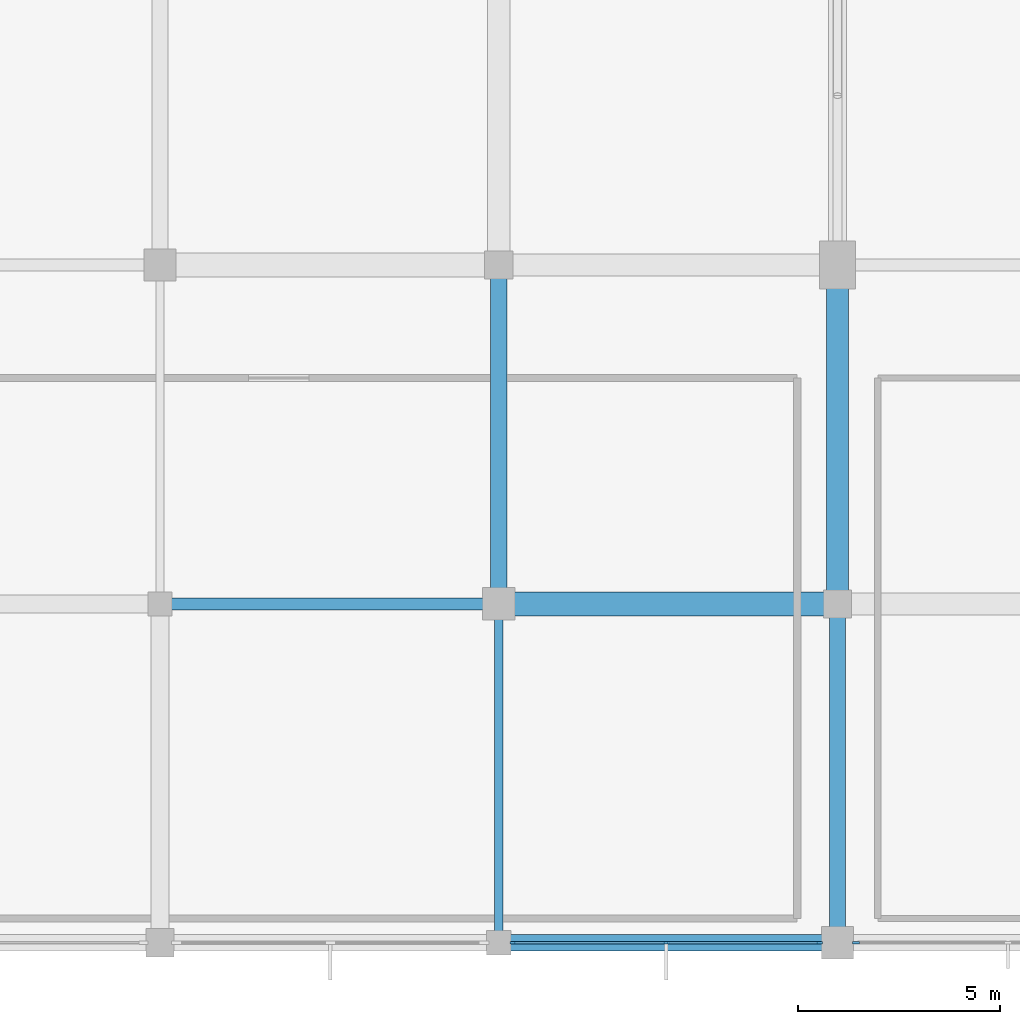
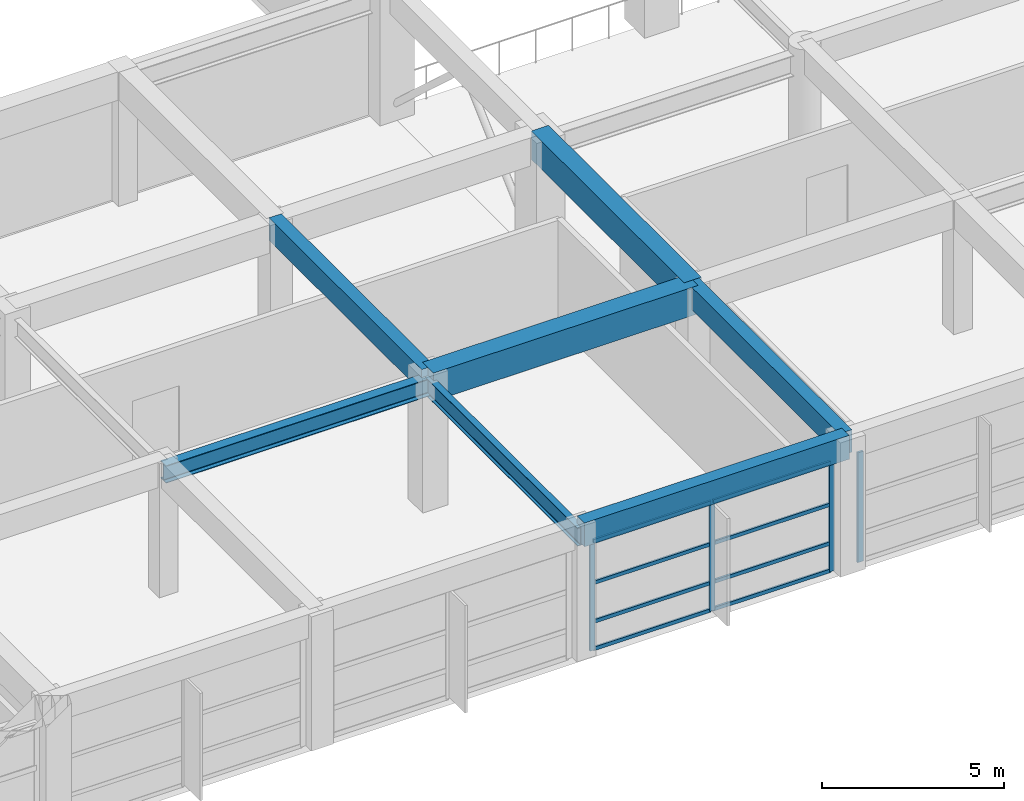
# One storey, part 12 of 56: 12 members, 7 beams, 2 elements without a shape of their own.
"""IFC4 building model written with IfcOpenShell, lengths in metres."""

from ifc_helpers import new_model, si_unit, direction, frame, origin, origin_2d, place, context, subcontext, project, spatial, rectangle, i_section, extrude, material, material_profile, profile_set, type_object, element, aggregate, save


model = new_model("IFC4")

# Units and contexts
model_context = context("Model", 3, precision=1e-05, world=origin(), true_north=direction((0.0, 1.0)))
body_context = subcontext(model_context, "Body", "Model", "MODEL_VIEW")
ifc_project = project(units=[si_unit("LENGTHUNIT", "METRE"), si_unit("AREAUNIT", "SQUARE_METRE"), si_unit("VOLUMEUNIT", "CUBIC_METRE"), si_unit("PLANEANGLEUNIT", "RADIAN"), si_unit("MASSUNIT", "GRAM", prefix="KILO")], contexts=[model_context])

# Site, building, storey
site_placement = place(None, origin())
site = spatial("IfcSite", under=ifc_project, at=site_placement, CompositionType="ELEMENT")
building_placement = place(site_placement, origin())
building = spatial("IfcBuilding", under=site, at=building_placement, Name="Xuanlan Plaza Opera House", CompositionType="ELEMENT")
storey_placement = place(building_placement, frame((0.0, 0.0, 18.89990234375)))
storey = spatial("IfcBuildingStorey", under=building, at=storey_placement, Name="L04", CompositionType="ELEMENT", Elevation=18.89990234375)

# Curtain wall, members
ifc_material_1 = material(Name="Anodised Aluminium 6063-T6 and Low-E Glass", Category="aluminium")
curtain_wall_type_1 = type_object("IfcCurtainWallType", Name="ENV-CW-CW-06", PredefinedType="USERDEFINED", material=ifc_material_1)
curtain_wall_1_placement = place(storey_placement, origin())
curtain_wall_1 = element("IfcCurtainWall", 1, at=curtain_wall_1_placement, inside=storey, type_object=curtain_wall_type_1, Name="Acoustic Glazed Wall L04-005", ObjectType="ACOUSTIC GLAZED WALL", PredefinedType="USERDEFINED")
ifc_material_2 = material(Name="Anodised Aluminium 6063-T6", Category="aluminium")
ifc_material_profile_1 = material_profile(ifc_material_2, rectangle(XDim=0.06494140625, YDim=0.159912109375, at=origin_2d()), Name="ALU-M 65x160")
ifc_profile_set_1 = profile_set([ifc_material_profile_1], Name="Anodised Aluminium 6063-T6")
member_type_1 = type_object("IfcMemberType", Name="ENV-CWM-01", PredefinedType="MULLION", material=ifc_profile_set_1)
member_1_placement = place(storey_placement, frame((59.152587890625, 16.800048828125, 0.0), z_axis=(0.0, 0.0, 1.0), x_axis=(0.0, 1.0, 0.0)))
member_1 = element("IfcMember", 2, at=member_1_placement, type_object=member_type_1, Name="CW-06 mullion 1", PredefinedType="MULLION", context=body_context, shape_type="SweptSolid", body=[
    extrude(rectangle(XDim=0.06494140625, YDim=0.159912109375, at=origin_2d()), origin(), (0.0, 0.0, 1.0), 3.68017578125),
])
member_2_placement = place(storey_placement, frame((62.949951171875, 16.800048828125, 0.0), z_axis=(0.0, 0.0, 1.0), x_axis=(0.0, 1.0, 0.0)))
member_2 = element("IfcMember", 3, at=member_2_placement, type_object=member_type_1, Name="CW-06 mullion 2", PredefinedType="MULLION", context=body_context, shape_type="SweptSolid", body=[
    extrude(rectangle(XDim=0.06494140625, YDim=0.159912109375, at=origin_2d()), origin(), (0.0, 0.0, 1.0), 3.68017578125),
])
member_3_placement = place(storey_placement, frame((66.74755859375, 16.800048828125, 0.0), z_axis=(0.0, 0.0, 1.0), x_axis=(0.0, 1.0, 0.0)))
member_3 = element("IfcMember", 4, at=member_3_placement, type_object=member_type_1, Name="CW-06 mullion 3", PredefinedType="MULLION", context=body_context, shape_type="SweptSolid", body=[
    extrude(rectangle(XDim=0.06494140625, YDim=0.159912109375, at=origin_2d()), origin(), (0.0, 0.0, 1.0), 3.68017578125),
])

# Curtain wall, member
curtain_wall_type_2 = type_object("IfcCurtainWallType", Name="ENV-CW-CW-05", PredefinedType="USERDEFINED", material=ifc_material_1)
curtain_wall_2_placement = place(storey_placement, origin())
curtain_wall_2 = element("IfcCurtainWall", 5, at=curtain_wall_2_placement, inside=storey, type_object=curtain_wall_type_2, Name="Acoustic Glazed Wall L04-006", ObjectType="ACOUSTIC GLAZED WALL", PredefinedType="USERDEFINED")
ifc_material_profile_2 = material_profile(ifc_material_2, rectangle(XDim=0.070068359375, YDim=0.179931640625, at=origin_2d()), Name="ALU-M 70x180")
ifc_profile_set_2 = profile_set([ifc_material_profile_2], Name="Anodised Aluminium 6063-T6")
member_type_2 = type_object("IfcMemberType", Name="ENV-CWM-02", PredefinedType="MULLION", material=ifc_profile_set_2)
member_4_placement = place(storey_placement, frame((67.655029296875, 16.800048828125, 0.0), z_axis=(0.0, 0.0, 1.0), x_axis=(0.0, 1.0, 0.0)))
member_4 = element("IfcMember", 6, at=member_4_placement, type_object=member_type_2, Name="CW-05 mullion 1", PredefinedType="MULLION", context=body_context, shape_type="SweptSolid", body=[
    extrude(rectangle(XDim=0.070068359375, YDim=0.179931640625, at=origin_2d()), origin(), (0.0, 0.0, 1.0), 3.68017578125),
])
aggregate(curtain_wall_2, [member_4])

# Member
ifc_material_profile_3 = material_profile(ifc_material_2, rectangle(XDim=0.06494140625, YDim=0.1201171875, at=origin_2d()), Name="ALU-T 65x120")
ifc_profile_set_3 = profile_set([ifc_material_profile_3], Name="Anodised Aluminium 6063-T6")
member_type_3 = type_object("IfcMemberType", Name="ENV-CWT-01", PredefinedType="USERDEFINED", material=ifc_profile_set_3)
member_5_placement = place(storey_placement, frame((59.18505859375, 16.800048828125, 0.03271484375), z_axis=(1.0, 0.0, 0.0), x_axis=(0.0, 1.0, 0.0)))
member_5 = element("IfcMember", 7, at=member_5_placement, type_object=member_type_3, Name="CW-06 transom 1.1", ObjectType="TRANSOM", PredefinedType="USERDEFINED", context=body_context, shape_type="SweptSolid", body=[
    extrude(rectangle(XDim=0.06494140625, YDim=0.1201171875, at=origin_2d()), origin(), (0.0, 0.0, 1.0), 3.732421875),
])

member_6_placement = place(storey_placement, frame((59.18505859375, 16.800048828125, 0.9501953125), z_axis=(1.0, 0.0, 0.0), x_axis=(0.0, 1.0, 0.0)))
member_6 = element("IfcMember", 8, at=member_6_placement, type_object=member_type_3, Name="CW-06 transom 1.2", ObjectType="TRANSOM", PredefinedType="USERDEFINED", context=body_context, shape_type="SweptSolid", body=[
    extrude(rectangle(XDim=0.06494140625, YDim=0.1201171875, at=origin_2d()), origin(), (0.0, 0.0, 1.0), 3.732421875),
])

member_7_placement = place(storey_placement, frame((59.18505859375, 16.800048828125, 2.25), z_axis=(1.0, 0.0, 0.0), x_axis=(0.0, 1.0, 0.0)))
member_7 = element("IfcMember", 9, at=member_7_placement, type_object=member_type_3, Name="CW-06 transom 1.3", ObjectType="TRANSOM", PredefinedType="USERDEFINED", context=body_context, shape_type="SweptSolid", body=[
    extrude(rectangle(XDim=0.06494140625, YDim=0.1201171875, at=origin_2d()), origin(), (0.0, 0.0, 1.0), 3.732421875),
])

member_8_placement = place(storey_placement, frame((59.18505859375, 16.800048828125, 3.647705078125), z_axis=(1.0, 0.0, 0.0), x_axis=(0.0, 1.0, 0.0)))
member_8 = element("IfcMember", 10, at=member_8_placement, type_object=member_type_3, Name="CW-06 transom 1.4", ObjectType="TRANSOM", PredefinedType="USERDEFINED", context=body_context, shape_type="SweptSolid", body=[
    extrude(rectangle(XDim=0.06494140625, YDim=0.1201171875, at=origin_2d()), origin(), (0.0, 0.0, 1.0), 3.732421875),
])

member_9_placement = place(storey_placement, frame((62.982421875, 16.800048828125, 0.03271484375), z_axis=(1.0, 0.0, 0.0), x_axis=(0.0, 1.0, 0.0)))
member_9 = element("IfcMember", 11, at=member_9_placement, type_object=member_type_3, Name="CW-06 transom 2.1", ObjectType="TRANSOM", PredefinedType="USERDEFINED", context=body_context, shape_type="SweptSolid", body=[
    extrude(rectangle(XDim=0.06494140625, YDim=0.1201171875, at=origin_2d()), origin(), (0.0, 0.0, 1.0), 3.732666015625),
])

member_10_placement = place(storey_placement, frame((62.982421875, 16.800048828125, 0.9501953125), z_axis=(1.0, 0.0, 0.0), x_axis=(0.0, 1.0, 0.0)))
member_10 = element("IfcMember", 12, at=member_10_placement, type_object=member_type_3, Name="CW-06 transom 2.2", ObjectType="TRANSOM", PredefinedType="USERDEFINED", context=body_context, shape_type="SweptSolid", body=[
    extrude(rectangle(XDim=0.06494140625, YDim=0.1201171875, at=origin_2d()), origin(), (0.0, 0.0, 1.0), 3.732666015625),
])

member_11_placement = place(storey_placement, frame((62.982421875, 16.800048828125, 2.25), z_axis=(1.0, 0.0, 0.0), x_axis=(0.0, 1.0, 0.0)))
member_11 = element("IfcMember", 13, at=member_11_placement, type_object=member_type_3, Name="CW-06 transom 2.3", ObjectType="TRANSOM", PredefinedType="USERDEFINED", context=body_context, shape_type="SweptSolid", body=[
    extrude(rectangle(XDim=0.06494140625, YDim=0.1201171875, at=origin_2d()), origin(), (0.0, 0.0, 1.0), 3.732666015625),
])

member_12_placement = place(storey_placement, frame((62.982421875, 16.800048828125, 3.647705078125), z_axis=(1.0, 0.0, 0.0), x_axis=(0.0, 1.0, 0.0)))
member_12 = element("IfcMember", 14, at=member_12_placement, type_object=member_type_3, Name="CW-06 transom 2.4", ObjectType="TRANSOM", PredefinedType="USERDEFINED", context=body_context, shape_type="SweptSolid", body=[
    extrude(rectangle(XDim=0.06494140625, YDim=0.1201171875, at=origin_2d()), origin(), (0.0, 0.0, 1.0), 3.732666015625),
])

aggregate(curtain_wall_1, [member_1, member_2, member_3, member_5, member_6, member_7, member_8, member_9, member_10, member_11, member_12])

# Beams
ifc_material_3 = material(Name="Concrete C50", Category="concrete")
ifc_material_profile_4 = material_profile(ifc_material_3, rectangle(XDim=0.60009765625, YDim=0.949951171875, at=origin_2d()), Name="RC-BM 600x950")
ifc_profile_set_4 = profile_set([ifc_material_profile_4], Name="Concrete C50")
beam_type_1 = type_object("IfcBeamType", Name="STR-BM-B-01", PredefinedType="BEAM", material=ifc_profile_set_4)
beam_1_placement = place(storey_placement, frame((58.800048828125, 25.199951171875, 4.025146484375), z_axis=(1.0, 0.0, 0.0), x_axis=(0.0, 1.0, 0.0)))
element("IfcBeam", 15, at=beam_1_placement, inside=storey, type_object=beam_type_1, Name="Grid Beam X L04 8-9/D", PredefinedType="BEAM", context=body_context, shape_type="SweptSolid", body=[
    extrude(rectangle(XDim=0.60009765625, YDim=0.949951171875, at=origin_2d()), origin(), (0.0, 0.0, 1.0), 8.39990234375),
])
ifc_material_profile_5 = material_profile(ifc_material_3, rectangle(XDim=0.550048828125, YDim=0.949951171875, at=origin_2d()), Name="RC-BM 550x950")
ifc_profile_set_5 = profile_set([ifc_material_profile_5], Name="Concrete C50")
beam_type_2 = type_object("IfcBeamType", Name="STR-BM-B-02", PredefinedType="BEAM", material=ifc_profile_set_5)
beam_2_placement = place(storey_placement, frame((67.199951171875, 25.199951171875, 4.025146484375), z_axis=(0.0, 1.0, 0.0), x_axis=(-1.0, 0.0, 0.0)))
element("IfcBeam", 16, at=beam_2_placement, inside=storey, type_object=beam_type_2, Name="Grid Beam Y L04 9/D-E", PredefinedType="BEAM", context=body_context, shape_type="SweptSolid", body=[
    extrude(rectangle(XDim=0.550048828125, YDim=0.949951171875, at=origin_2d()), origin(), (0.0, 0.0, 1.0), 8.400146484375),
])
ifc_material_4 = material(Name="Concrete C40", Category="concrete")
ifc_material_profile_6 = material_profile(ifc_material_4, rectangle(XDim=0.39990234375, YDim=0.75, at=origin_2d()), Name="RC-BM 400x750")
ifc_profile_set_6 = profile_set([ifc_material_profile_6], Name="Concrete C40")
beam_type_3 = type_object("IfcBeamType", Name="STR-BM-B-06", PredefinedType="BEAM", material=ifc_profile_set_6)
beam_3_placement = place(storey_placement, frame((58.800048828125, 25.199951171875, 4.125), z_axis=(0.0, 1.0, 0.0), x_axis=(-1.0, 0.0, 0.0)))
element("IfcBeam", 17, at=beam_3_placement, inside=storey, type_object=beam_type_3, Name="Grid Beam Y L04 8/D-E", PredefinedType="BEAM", context=body_context, shape_type="SweptSolid", body=[
    extrude(rectangle(XDim=0.39990234375, YDim=0.75, at=origin_2d()), origin(), (0.0, 0.0, 1.0), 8.400146484375),
])
beam_4_placement = place(storey_placement, frame((67.199951171875, 16.800048828125, 4.125), z_axis=(0.0, 1.0, 0.0), x_axis=(-1.0, 0.0, 0.0)))
element("IfcBeam", 18, at=beam_4_placement, inside=storey, type_object=beam_type_3, Name="Grid Beam Y L04 9/C-D", PredefinedType="BEAM", context=body_context, shape_type="SweptSolid", body=[
    extrude(rectangle(XDim=0.39990234375, YDim=0.75, at=origin_2d()), origin(), (0.0, 0.0, 1.0), 8.39990234375),
])
ifc_material_5 = material(Name="Steel Q355B", Category="steel")
ifc_material_profile_7 = material_profile(ifc_material_5, i_section(OverallWidth=0.199951171875, OverallDepth=0.60009765625, WebThickness=0.010986328125, FlangeThickness=0.01708984375, FilletRadius=0.02197265625, at=origin_2d()), Name="HN 600x200x11x17")
ifc_profile_set_7 = profile_set([ifc_material_profile_7], Name="Steel Q355B")
beam_type_4 = type_object("IfcBeamType", Name="STR-BM-SB-04", PredefinedType="BEAM", material=ifc_profile_set_7)
beam_5_placement = place(storey_placement, frame((58.800048828125, 16.800048828125, 3.93505859375), z_axis=(0.0, 1.0, 0.0), x_axis=(-1.0, 0.0, 0.0)))
element("IfcBeam", 19, at=beam_5_placement, inside=storey, type_object=beam_type_4, Name="Grid Beam Y L04 8/C-D", PredefinedType="BEAM", context=body_context, shape_type="SweptSolid", body=[
    extrude(i_section(OverallWidth=0.199951171875, OverallDepth=0.60009765625, WebThickness=0.010986328125, FlangeThickness=0.01708984375, FilletRadius=0.02197265625, at=origin_2d()), origin(), (0.0, 0.0, 1.0), 8.39990234375),
])
ifc_material_profile_8 = material_profile(ifc_material_5, i_section(OverallWidth=0.300048828125, OverallDepth=0.587890625, WebThickness=0.011962890625, FlangeThickness=0.02001953125, FilletRadius=0.02392578125, at=origin_2d()), Name="HM 588x300x12x20")
ifc_profile_set_8 = profile_set([ifc_material_profile_8], Name="Steel Q355B")
beam_type_5 = type_object("IfcBeamType", Name="STR-BM-SB-06", PredefinedType="BEAM", material=ifc_profile_set_8)
beam_6_placement = place(storey_placement, frame((50.39990234375, 25.199951171875, 3.941162109375), z_axis=(1.0, 0.0, 0.0), x_axis=(0.0, 1.0, 0.0)))
element("IfcBeam", 20, at=beam_6_placement, inside=storey, type_object=beam_type_5, Name="Grid Beam X L04 7-8/D", PredefinedType="BEAM", context=body_context, shape_type="SweptSolid", body=[
    extrude(i_section(OverallWidth=0.300048828125, OverallDepth=0.587890625, WebThickness=0.011962890625, FlangeThickness=0.02001953125, FilletRadius=0.02392578125, at=origin_2d()), origin(), (0.0, 0.0, 1.0), 8.400146484375),
])
ifc_material_profile_9 = material_profile(ifc_material_4, rectangle(XDim=0.39990234375, YDim=0.800048828125, at=origin_2d()), Name="RC-SPD 400x800")
ifc_profile_set_9 = profile_set([ifc_material_profile_9], Name="Concrete C40")
beam_type_6 = type_object("IfcBeamType", Name="STR-BM-SP-01", PredefinedType="SPANDREL", material=ifc_profile_set_9)
beam_7_placement = place(storey_placement, frame((58.800048828125, 16.800048828125, 4.10009765625), z_axis=(1.0, 0.0, 0.0), x_axis=(0.0, 1.0, 0.0)))
element("IfcBeam", 21, at=beam_7_placement, inside=storey, type_object=beam_type_6, Name="Grid Beam X L04 8-9/C", PredefinedType="SPANDREL", context=body_context, shape_type="SweptSolid", body=[
    extrude(rectangle(XDim=0.39990234375, YDim=0.800048828125, at=origin_2d()), origin(), (0.0, 0.0, 1.0), 8.39990234375),
])

save(model, "model.ifc")
